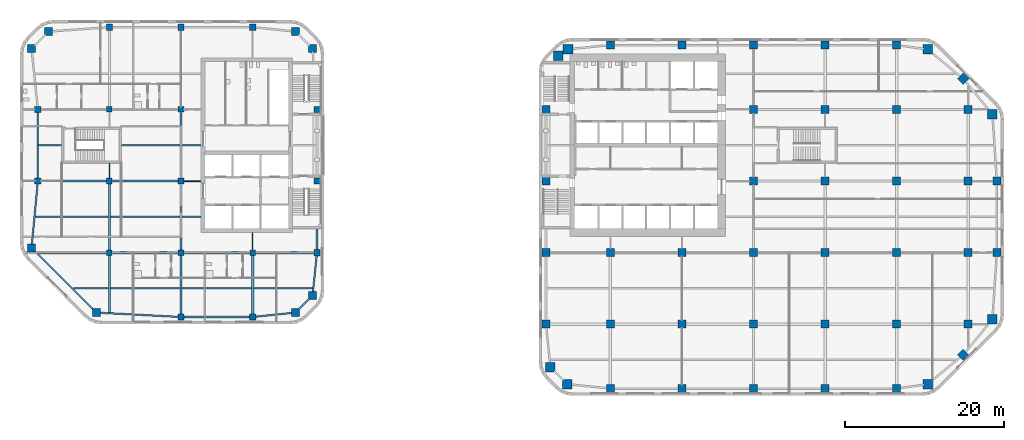
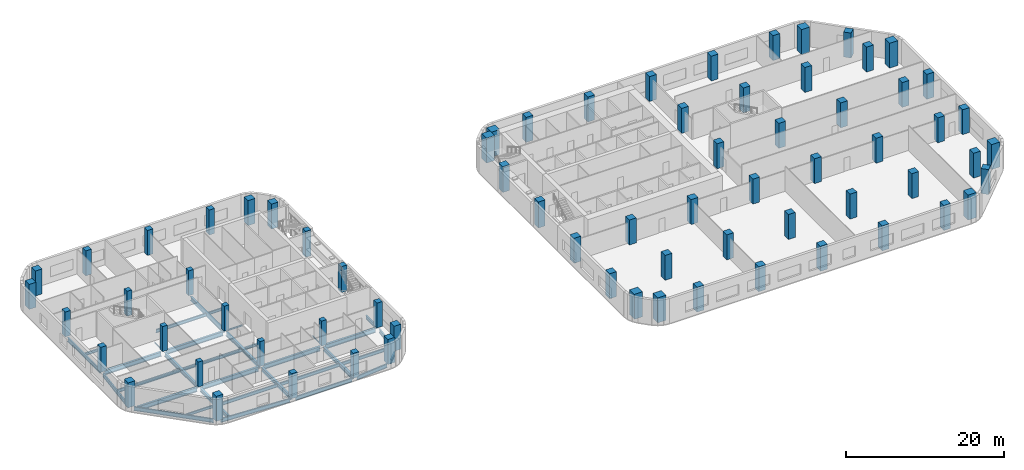
# One storey, part 1 of 15: 71 columns, 34 beams.
"""IFC4 building model written with IfcOpenShell, lengths in metres."""

from ifc_helpers import new_model, si_unit, direction, frame, origin, origin_2d, place, context, subcontext, project, spatial, rectangle, i_section, extrude, material, material_profile, profile_set, type_object, element, save


model = new_model("IFC4")

# Units and contexts
model_context = context("Model", 3, precision=1e-05, world=origin(), true_north=direction((0.0, 1.0)))
body_context = subcontext(model_context, "Body", "Model", "MODEL_VIEW")
ifc_project = project(units=[si_unit("LENGTHUNIT", "METRE"), si_unit("AREAUNIT", "SQUARE_METRE"), si_unit("VOLUMEUNIT", "CUBIC_METRE"), si_unit("PLANEANGLEUNIT", "RADIAN"), si_unit("MASSUNIT", "GRAM", prefix="KILO")], contexts=[model_context])

# Site, building, storey
site_placement = place(None, origin())
site = spatial("IfcSite", under=ifc_project, at=site_placement, CompositionType="ELEMENT")
building_placement = place(site_placement, origin())
building = spatial("IfcBuilding", under=site, at=building_placement, Name="Cinnabar Reach Civic Tower", CompositionType="ELEMENT")
storey_placement = place(building_placement, frame((0.0, 0.0, 67.0)))
storey = spatial("IfcBuildingStorey", under=building, at=storey_placement, Name="L15", CompositionType="ELEMENT", Elevation=67.0)

# Columns
ifc_material_1 = material(Name="Concrete C70", Category="concrete")
ifc_material_profile_1 = material_profile(ifc_material_1, rectangle(XDim=1.0, YDim=1.0, at=origin_2d()), Name="RC1000")
ifc_profile_set_1 = profile_set([ifc_material_profile_1], Name="Concrete C70")
column_type_1 = type_object("IfcColumnType", Name="RC1000 column R 180", PredefinedType="COLUMN", material=ifc_profile_set_1)
for number, where, z_axis, x_axis, name in (
    (1, (-55.6481, 10.4531, 0.0), (0.0, 0.0, 1.0), (1.0, 0.0, 0.0), "Column T2-Z2-CC0"),
    (2, (-30.6019, 10.4531, 0.0), (0.0, 0.0, 1.0), (1.0, 0.0, 0.0), "Column T2-Z2-CC1"),
    (3, (-28.4531, 12.6019, 0.0), (0.0, 0.0, 1.0), (1.0, 0.0, 0.0), "Column T2-Z2-CC2"),
    (4, (-28.4531, 43.6481, 0.0), (0.0, 0.0, 1.0), (1.0, 0.0, 0.0), "Column T2-Z2-CC3"),
    (5, (-30.6019, 45.7969, 0.0), (0.0, 0.0, 1.0), (1.0, 0.0, 0.0), "Column T2-Z2-CC4"),
    (6, (-61.6481, 45.7969, 0.0), (0.0, 0.0, 1.0), (1.0, 0.0, 0.0), "Column T2-Z2-CC5"),
    (7, (-63.7969, 43.6481, 0.0), (0.0, 0.0, 1.0), (1.0, 0.0, 0.0), "Column T2-Z2-CC6"),
    (8, (-63.7969, 18.6019, 0.0), (0.0, 0.0, 1.0), (1.0, 0.0, 0.0), "Column T2-Z2-CC7"),
):
    element("IfcColumn", number, at=place(storey_placement, frame(where, z_axis=z_axis, x_axis=x_axis)), inside=storey, type_object=column_type_1, Name=name, PredefinedType="COLUMN", context=body_context, shape_type="SweptSolid", body=[
        extrude(rectangle(XDim=1.0, YDim=1.0, at=origin_2d()), origin(), (0.0, 0.0, 1.0), 3.85),
    ])
ifc_material_profile_2 = material_profile(ifc_material_1, rectangle(XDim=1.0, YDim=1.0, at=origin_2d()), Name="RC1000")
ifc_profile_set_2 = profile_set([ifc_material_profile_2], Name="Concrete C70")
column_type_2 = type_object("IfcColumnType", Name="RC1000 column R 240", PredefinedType="COLUMN", material=ifc_profile_set_2)
for number, where, z_axis, x_axis, name in (
    (9, (9.0, 0.9, 0.0), (0.0, 0.0, 1.0), (1.0, 0.0, 0.0), "Column T1-Z1-F0-1"),
    (10, (18.0, 0.9, 0.0), (0.0, 0.0, 1.0), (1.0, 0.0, 0.0), "Column T1-Z1-F0-2"),
    (11, (27.0, 0.9, 0.0), (0.0, 0.0, 1.0), (1.0, 0.0, 0.0), "Column T1-Z1-F0-3"),
    (12, (36.0, 0.9, 0.0), (0.0, 0.0, 1.0), (1.0, 0.0, 0.0), "Column T1-Z1-F0-4"),
    (13, (45.0, 0.9, 0.0), (0.0, 0.0, 1.0), (1.0, 0.0, 0.0), "Column T1-Z1-F0-5"),
    (14, (53.3636, 5.1364, 0.0), (0.0, 0.0, 1.0), (0.707106781187, 0.707106781187, 0.0), "Column T1-Z1-F1-M"),
    (15, (57.6, 18.0, 0.0), (0.0, 0.0, 1.0), (1.0, 0.0, 0.0), "Column T1-Z1-F2-2"),
    (16, (57.6, 27.0, 0.0), (0.0, 0.0, 1.0), (1.0, 0.0, 0.0), "Column T1-Z1-F2-3"),
    (17, (53.3636, 39.8636, 0.0), (0.0, 0.0, 1.0), (0.707106781187, 0.707106781187, 0.0), "Column T1-Z1-F3-M"),
    (18, (9.0, 44.1, 0.0), (0.0, 0.0, 1.0), (1.0, 0.0, 0.0), "Column T1-Z1-F4-1"),
    (19, (18.0, 44.1, 0.0), (0.0, 0.0, 1.0), (1.0, 0.0, 0.0), "Column T1-Z1-F4-2"),
    (20, (27.0, 44.1, 0.0), (0.0, 0.0, 1.0), (1.0, 0.0, 0.0), "Column T1-Z1-F4-3"),
    (21, (36.0, 44.1, 0.0), (0.0, 0.0, 1.0), (1.0, 0.0, 0.0), "Column T1-Z1-F4-4"),
    (22, (45.0, 44.1, 0.0), (0.0, 0.0, 1.0), (1.0, 0.0, 0.0), "Column T1-Z1-F4-5"),
    (23, (0.9, 9.0, 0.0), (0.0, 0.0, 1.0), (1.0, 0.0, 0.0), "Column T1-Z1-F6-1"),
    (24, (0.9, 18.0, 0.0), (0.0, 0.0, 1.0), (1.0, 0.0, 0.0), "Column T1-Z1-F6-2"),
):
    element("IfcColumn", number, at=place(storey_placement, frame(where, z_axis=z_axis, x_axis=x_axis)), inside=storey, type_object=column_type_2, Name=name, PredefinedType="COLUMN", context=body_context, shape_type="SweptSolid", body=[
        extrude(rectangle(XDim=1.0, YDim=1.0, at=origin_2d()), origin(), (0.0, 0.0, 1.0), 3.85),
    ])
for number, where, z_axis, x_axis, name in (
    (25, (0.9, 27.0, 0.0), (0.0, 0.0, 1.0), (1.0, 0.0, 0.0), "Column T1-Z1-F6-3"),
    (26, (0.9, 36.0, 0.0), (0.0, 0.0, 1.0), (1.0, 0.0, 0.0), "Column T1-Z1-F6-4"),
):
    element("IfcColumn", number, at=place(storey_placement, frame(where, z_axis=z_axis, x_axis=x_axis)), inside=storey, type_object=column_type_2, Name=name, PredefinedType="COLUMN", context=body_context, shape_type="SweptSolid", body=[
        extrude(rectangle(XDim=1.0, YDim=1.0, at=origin_2d()), origin(), (0.0, 0.0, 1.0), 4.0),
    ])
for number, where, z_axis, x_axis, name in (
    (27, (9.0, 9.0, 0.0), (0.0, 0.0, 1.0), (1.0, 0.0, 0.0), "Column T1-Z1-I9_9"),
    (28, (9.0, 18.0, 0.0), (0.0, 0.0, 1.0), (1.0, 0.0, 0.0), "Column T1-Z1-I9_18"),
    (29, (18.0, 9.0, 0.0), (0.0, 0.0, 1.0), (1.0, 0.0, 0.0), "Column T1-Z1-I18_9"),
    (30, (18.0, 18.0, 0.0), (0.0, 0.0, 1.0), (1.0, 0.0, 0.0), "Column T1-Z1-I18_18"),
    (31, (27.0, 9.0, 0.0), (0.0, 0.0, 1.0), (1.0, 0.0, 0.0), "Column T1-Z1-I27_9"),
    (32, (27.0, 18.0, 0.0), (0.0, 0.0, 1.0), (1.0, 0.0, 0.0), "Column T1-Z1-I27_18"),
    (33, (27.0, 27.0, 0.0), (0.0, 0.0, 1.0), (1.0, 0.0, 0.0), "Column T1-Z1-I27_27"),
    (34, (27.0, 36.0, 0.0), (0.0, 0.0, 1.0), (1.0, 0.0, 0.0), "Column T1-Z1-I27_36"),
    (35, (36.0, 9.0, 0.0), (0.0, 0.0, 1.0), (1.0, 0.0, 0.0), "Column T1-Z1-I36_9"),
    (36, (36.0, 18.0, 0.0), (0.0, 0.0, 1.0), (1.0, 0.0, 0.0), "Column T1-Z1-I36_18"),
    (37, (36.0, 27.0, 0.0), (0.0, 0.0, 1.0), (1.0, 0.0, 0.0), "Column T1-Z1-I36_27"),
    (38, (36.0, 36.0, 0.0), (0.0, 0.0, 1.0), (1.0, 0.0, 0.0), "Column T1-Z1-I36_36"),
    (39, (45.0, 9.0, 0.0), (0.0, 0.0, 1.0), (1.0, 0.0, 0.0), "Column T1-Z1-I45_9"),
    (40, (45.0, 18.0, 0.0), (0.0, 0.0, 1.0), (1.0, 0.0, 0.0), "Column T1-Z1-I45_18"),
    (41, (45.0, 27.0, 0.0), (0.0, 0.0, 1.0), (1.0, 0.0, 0.0), "Column T1-Z1-I45_27"),
    (42, (45.0, 36.0, 0.0), (0.0, 0.0, 1.0), (1.0, 0.0, 0.0), "Column T1-Z1-I45_36"),
    (43, (54.0, 9.0, 0.0), (0.0, 0.0, 1.0), (1.0, 0.0, 0.0), "Column T1-Z1-I54_9"),
    (44, (54.0, 18.0, 0.0), (0.0, 0.0, 1.0), (1.0, 0.0, 0.0), "Column T1-Z1-I54_18"),
    (45, (54.0, 27.0, 0.0), (0.0, 0.0, 1.0), (1.0, 0.0, 0.0), "Column T1-Z1-I54_27"),
    (46, (54.0, 36.0, 0.0), (0.0, 0.0, 1.0), (1.0, 0.0, 0.0), "Column T1-Z1-I54_36"),
):
    element("IfcColumn", number, at=place(storey_placement, frame(where, z_axis=z_axis, x_axis=x_axis)), inside=storey, type_object=column_type_2, Name=name, PredefinedType="COLUMN", context=body_context, shape_type="SweptSolid", body=[
        extrude(rectangle(XDim=1.0, YDim=1.0, at=origin_2d()), origin(), (0.0, 0.0, 1.0), 3.85),
    ])
ifc_material_2 = material(Name="Concrete C80", Category="concrete")
ifc_material_profile_3 = material_profile(ifc_material_2, rectangle(XDim=1.2, YDim=1.2, at=origin_2d()), Name="RC1200")
ifc_profile_set_3 = profile_set([ifc_material_profile_3], Name="Concrete C80")
column_type_3 = type_object("IfcColumnType", Name="RC1200 column R 240", PredefinedType="COLUMN", material=ifc_profile_set_3)
for number, where, z_axis, x_axis, name in (
    (47, (3.6019, 1.4531, 0.0), (0.0, 0.0, 1.0), (1.0, 0.0, 0.0), "Column T1-Z1-CC0"),
    (48, (48.8981, 1.4531, 0.0), (0.0, 0.0, 1.0), (1.0, 0.0, 0.0), "Column T1-Z1-CC1"),
    (49, (57.0469, 9.6019, 0.0), (0.0, 0.0, 1.0), (1.0, 0.0, 0.0), "Column T1-Z1-CC2"),
    (50, (57.0469, 35.3981, 0.0), (0.0, 0.0, 1.0), (1.0, 0.0, 0.0), "Column T1-Z1-CC3"),
    (51, (48.8981, 43.5469, 0.0), (0.0, 0.0, 1.0), (1.0, 0.0, 0.0), "Column T1-Z1-CC4"),
    (52, (3.6666, 43.5737, 0.0), (0.0, 0.0, 1.0), (1.0, 0.0, 0.0), "Column T1-Z1-CC5"),
    (53, (2.4631, 42.75, 0.0), (0.0, 0.0, 1.0), (1.0, 0.0, 0.0), "Column T1-Z1-CC6"),
    (54, (1.4531, 3.6019, 0.0), (0.0, 0.0, 1.0), (1.0, 0.0, 0.0), "Column T1-Z1-CC7"),
):
    element("IfcColumn", number, at=place(storey_placement, frame(where, z_axis=z_axis, x_axis=x_axis)), inside=storey, type_object=column_type_3, Name=name, PredefinedType="COLUMN", context=body_context, shape_type="SweptSolid", body=[
        extrude(rectangle(XDim=1.2, YDim=1.2, at=origin_2d()), origin(), (0.0, 0.0, 1.0), 3.85),
    ])
ifc_material_3 = material(Name="Concrete C60", Category="concrete")
ifc_material_profile_4 = material_profile(ifc_material_3, rectangle(XDim=0.7, YDim=0.7, at=origin_2d()), Name="RC700")
ifc_profile_set_4 = profile_set([ifc_material_profile_4], Name="Concrete C60")
column_type_4 = type_object("IfcColumnType", Name="RC700 column R 180", PredefinedType="COLUMN", material=ifc_profile_set_4)
for number, where, z_axis, x_axis, name in (
    (55, (-54.0, 18.0, 0.0), (0.0, 0.0, 1.0), (1.0, 0.0, 0.0), "Column T2-Z2-I-54_18"),
    (56, (-54.0, 27.0, 0.0), (0.0, 0.0, 1.0), (1.0, 0.0, 0.0), "Column T2-Z2-I-54_27"),
    (57, (-54.0, 36.0, 0.0), (0.0, 0.0, 1.0), (1.0, 0.0, 0.0), "Column T2-Z2-I-54_36"),
    (58, (-45.0, 18.0, 0.0), (0.0, 0.0, 1.0), (1.0, 0.0, 0.0), "Column T2-Z2-I-45_18"),
    (59, (-45.0, 27.0, 0.0), (0.0, 0.0, 1.0), (1.0, 0.0, 0.0), "Column T2-Z2-I-45_27"),
    (60, (-45.0, 36.0, 0.0), (0.0, 0.0, 1.0), (1.0, 0.0, 0.0), "Column T2-Z2-I-45_36"),
    (61, (-36.0, 18.0, 0.0), (0.0, 0.0, 1.0), (1.0, 0.0, 0.0), "Column T2-Z2-I-36_18"),
):
    element("IfcColumn", number, at=place(storey_placement, frame(where, z_axis=z_axis, x_axis=x_axis)), inside=storey, type_object=column_type_4, Name=name, PredefinedType="COLUMN", context=body_context, shape_type="SweptSolid", body=[
        extrude(rectangle(XDim=0.7, YDim=0.7, at=origin_2d()), origin(), (0.0, 0.0, 1.0), 3.85),
    ])
ifc_material_profile_5 = material_profile(ifc_material_3, rectangle(XDim=0.8, YDim=0.8, at=origin_2d()), Name="RC800")
ifc_profile_set_5 = profile_set([ifc_material_profile_5], Name="Concrete C60")
column_type_5 = type_object("IfcColumnType", Name="RC800 column R 180", PredefinedType="COLUMN", material=ifc_profile_set_5)
for number, where, z_axis, x_axis, name in (
    (62, (-45.0, 9.9, 0.0), (0.0, 0.0, 1.0), (1.0, 0.0, 0.0), "Column T2-Z2-F0--5"),
    (63, (-36.0, 9.9, 0.0), (0.0, 0.0, 1.0), (1.0, 0.0, 0.0), "Column T2-Z2-F0--4"),
    (64, (-27.9, 18.0, 0.0), (0.0, 0.0, 1.0), (1.0, 0.0, 0.0), "Column T2-Z2-F2-2"),
):
    element("IfcColumn", number, at=place(storey_placement, frame(where, z_axis=z_axis, x_axis=x_axis)), inside=storey, type_object=column_type_5, Name=name, PredefinedType="COLUMN", context=body_context, shape_type="SweptSolid", body=[
        extrude(rectangle(XDim=0.8, YDim=0.8, at=origin_2d()), origin(), (0.0, 0.0, 1.0), 3.85),
    ])
for number, where, z_axis, x_axis, name in (
    (65, (-27.9, 27.0, 0.0), (0.0, 0.0, 1.0), (1.0, 0.0, 0.0), "Column T2-Z2-F2-3"),
    (66, (-27.9, 36.0, 0.0), (0.0, 0.0, 1.0), (1.0, 0.0, 0.0), "Column T2-Z2-F2-4"),
):
    element("IfcColumn", number, at=place(storey_placement, frame(where, z_axis=z_axis, x_axis=x_axis)), inside=storey, type_object=column_type_5, Name=name, PredefinedType="COLUMN", context=body_context, shape_type="SweptSolid", body=[
        extrude(rectangle(XDim=0.8, YDim=0.8, at=origin_2d()), origin(), (0.0, 0.0, 1.0), 4.0),
    ])
for number, where, z_axis, x_axis, name in (
    (67, (-54.0, 46.35, 0.0), (0.0, 0.0, 1.0), (1.0, 0.0, 0.0), "Column T2-Z2-F4--6"),
    (68, (-45.0, 46.35, 0.0), (0.0, 0.0, 1.0), (1.0, 0.0, 0.0), "Column T2-Z2-F4--5"),
    (69, (-36.0, 46.35, 0.0), (0.0, 0.0, 1.0), (1.0, 0.0, 0.0), "Column T2-Z2-F4--4"),
    (70, (-63.0, 27.0, 0.0), (0.0, 0.0, 1.0), (1.0, 0.0, 0.0), "Column T2-Z2-F6-3"),
    (71, (-63.0, 36.0, 0.0), (0.0, 0.0, 1.0), (1.0, 0.0, 0.0), "Column T2-Z2-F6-4"),
):
    element("IfcColumn", number, at=place(storey_placement, frame(where, z_axis=z_axis, x_axis=x_axis)), inside=storey, type_object=column_type_5, Name=name, PredefinedType="COLUMN", context=body_context, shape_type="SweptSolid", body=[
        extrude(rectangle(XDim=0.8, YDim=0.8, at=origin_2d()), origin(), (0.0, 0.0, 1.0), 3.85),
    ])

# Beams
ifc_material_4 = material(Name="Steel Q355B", Category="steel")
ifc_material_profile_6 = material_profile(ifc_material_4, i_section(OverallWidth=0.302, OverallDepth=0.594, WebThickness=0.014, FlangeThickness=0.023, FilletRadius=0.016, at=origin_2d()), Name="HM594x302x14x23")
ifc_profile_set_6 = profile_set([ifc_material_profile_6], Name="Steel Q355B")
beam_type_1 = type_object("IfcBeamType", Name="HM594x302x14x23 beam R 120", PredefinedType="BEAM", material=ifc_profile_set_6)
beam_1_placement = place(storey_placement, frame((-54.0, 10.4696, -0.447), z_axis=(0.0, 1.0, 0.0), x_axis=(-1.0, 0.0, 0.0)))
element("IfcBeam", 72, at=beam_1_placement, inside=storey, type_object=beam_type_1, Name="Girder T2 L15 1", PredefinedType="BEAM", context=body_context, shape_type="SweptSolid", body=[
    extrude(i_section(OverallWidth=0.302, OverallDepth=0.594, WebThickness=0.014, FlangeThickness=0.023, FilletRadius=0.016, at=origin_2d()), origin(), (0.0, 0.0, 1.0), 7.1784),
])
beam_2_placement = place(storey_placement, frame((-54.0, 18.352, -0.447), z_axis=(0.0, 1.0, 0.0), x_axis=(-1.0, 0.0, 0.0)))
element("IfcBeam", 73, at=beam_2_placement, inside=storey, type_object=beam_type_1, Name="Girder T2 L15 2", PredefinedType="BEAM", context=body_context, shape_type="SweptSolid", body=[
    extrude(i_section(OverallWidth=0.302, OverallDepth=0.594, WebThickness=0.014, FlangeThickness=0.023, FilletRadius=0.016, at=origin_2d()), origin(), (0.0, 0.0, 1.0), 8.296),
])
beam_3_placement = place(storey_placement, frame((-45.0, 10.302, -0.447), z_axis=(0.0, 1.0, 0.0), x_axis=(-1.0, 0.0, 0.0)))
element("IfcBeam", 74, at=beam_3_placement, inside=storey, type_object=beam_type_1, Name="Girder T2 L15 6", PredefinedType="BEAM", context=body_context, shape_type="SweptSolid", body=[
    extrude(i_section(OverallWidth=0.302, OverallDepth=0.594, WebThickness=0.014, FlangeThickness=0.023, FilletRadius=0.016, at=origin_2d()), origin(), (0.0, 0.0, 1.0), 7.346),
])
for number, where, z_axis, x_axis, name in (
    (75, (-45.0, 18.352, -0.447), (0.0, 1.0, 0.0), (-1.0, 0.0, 0.0), "Girder T2 L15 7"),
    (76, (-45.0, 27.352, -0.447), (0.0, 1.0, 0.0), (-1.0, 0.0, 0.0), "Girder T2 L15 8"),
):
    element("IfcBeam", number, at=place(storey_placement, frame(where, z_axis=z_axis, x_axis=x_axis)), inside=storey, type_object=beam_type_1, Name=name, PredefinedType="BEAM", context=body_context, shape_type="SweptSolid", body=[
        extrude(i_section(OverallWidth=0.302, OverallDepth=0.594, WebThickness=0.014, FlangeThickness=0.023, FilletRadius=0.016, at=origin_2d()), origin(), (0.0, 0.0, 1.0), 8.296),
    ])
beam_4_placement = place(storey_placement, frame((-36.0, 10.302, -0.447), z_axis=(0.0, 1.0, 0.0), x_axis=(-1.0, 0.0, 0.0)))
element("IfcBeam", 77, at=beam_4_placement, inside=storey, type_object=beam_type_1, Name="Girder T2 L15 10", PredefinedType="BEAM", context=body_context, shape_type="SweptSolid", body=[
    extrude(i_section(OverallWidth=0.302, OverallDepth=0.594, WebThickness=0.014, FlangeThickness=0.023, FilletRadius=0.016, at=origin_2d()), origin(), (0.0, 0.0, 1.0), 7.346),
])
ifc_material_profile_7 = material_profile(ifc_material_4, i_section(OverallWidth=0.099, OverallDepth=0.198, WebThickness=0.0045, FlangeThickness=0.007, FilletRadius=0.013, at=origin_2d()), Name="HN200x100x5.5x8")
ifc_profile_set_7 = profile_set([ifc_material_profile_7], Name="Steel Q355B")
beam_type_2 = type_object("IfcBeamType", Name="HN200x100x5.5x8 beam R 120", PredefinedType="BEAM", material=ifc_profile_set_7)
beam_5_placement = place(storey_placement, frame((-54.0, 27.352, -0.249), z_axis=(0.0, 1.0, 0.0), x_axis=(-1.0, 0.0, 0.0)))
element("IfcBeam", 78, at=beam_5_placement, inside=storey, type_object=beam_type_2, Name="Girder T2 L15 3", PredefinedType="BEAM", context=body_context, shape_type="SweptSolid", body=[
    extrude(i_section(OverallWidth=0.099, OverallDepth=0.198, WebThickness=0.0045, FlangeThickness=0.007, FilletRadius=0.013, at=origin_2d()), origin(), (0.0, 0.0, 1.0), 1.896),
])
beam_6_placement = place(storey_placement, frame((-36.0, 18.352, -0.249), z_axis=(0.0, 1.0, 0.0), x_axis=(-1.0, 0.0, 0.0)))
element("IfcBeam", 79, at=beam_6_placement, inside=storey, type_object=beam_type_2, Name="Girder T2 L15 11", PredefinedType="BEAM", context=body_context, shape_type="SweptSolid", body=[
    extrude(i_section(OverallWidth=0.099, OverallDepth=0.198, WebThickness=0.0045, FlangeThickness=0.007, FilletRadius=0.013, at=origin_2d()), origin(), (0.0, 0.0, 1.0), 2.146),
])
ifc_material_profile_8 = material_profile(ifc_material_4, i_section(OverallWidth=0.124, OverallDepth=0.248, WebThickness=0.005, FlangeThickness=0.008, FilletRadius=0.013, at=origin_2d()), Name="HN250x125x6x9")
ifc_profile_set_8 = profile_set([ifc_material_profile_8], Name="Steel Q355B")
beam_type_3 = type_object("IfcBeamType", Name="HN250x125x6x9 beam R 120", PredefinedType="BEAM", material=ifc_profile_set_8)
beam_7_placement = place(storey_placement, frame((-44.648, 27.0, -0.274), z_axis=(1.0, 0.0, 0.0), x_axis=(0.0, 1.0, 0.0)))
element("IfcBeam", 80, at=beam_7_placement, inside=storey, type_object=beam_type_3, Name="Girder T2 L15 7", PredefinedType="BEAM", context=body_context, shape_type="SweptSolid", body=[
    extrude(i_section(OverallWidth=0.124, OverallDepth=0.248, WebThickness=0.005, FlangeThickness=0.008, FilletRadius=0.013, at=origin_2d()), origin(), (0.0, 0.0, 1.0), 2.146),
])
ifc_material_profile_9 = material_profile(ifc_material_4, i_section(OverallWidth=0.199, OverallDepth=0.396, WebThickness=0.007, FlangeThickness=0.011, FilletRadius=0.013, at=origin_2d()), Name="HN396x199x7x11")
ifc_profile_set_9 = profile_set([ifc_material_profile_9], Name="Steel Q355B")
beam_type_4 = type_object("IfcBeamType", Name="HN396x199x7x11 beam R 120", PredefinedType="BEAM", material=ifc_profile_set_9)
beam_8_placement = place(storey_placement, frame((-58.5508, 13.5, -0.348), z_axis=(1.0, 0.0, 0.0), x_axis=(0.0, 1.0, 0.0)))
element("IfcBeam", 81, at=beam_8_placement, inside=storey, type_object=beam_type_4, Name="Secondary beam T2 L15 1", PredefinedType="BEAM", context=body_context, shape_type="SweptSolid", body=[
    extrude(i_section(OverallWidth=0.199, OverallDepth=0.396, WebThickness=0.007, FlangeThickness=0.011, FilletRadius=0.013, at=origin_2d()), origin(), (0.0, 0.0, 1.0), 4.3978),
])
beam_9_placement = place(storey_placement, frame((-44.847, 22.5, -0.348), z_axis=(1.0, 0.0, 0.0), x_axis=(0.0, 1.0, 0.0)))
element("IfcBeam", 82, at=beam_9_placement, inside=storey, type_object=beam_type_4, Name="Secondary beam T2 L15 7", PredefinedType="BEAM", context=body_context, shape_type="SweptSolid", body=[
    extrude(i_section(OverallWidth=0.199, OverallDepth=0.396, WebThickness=0.007, FlangeThickness=0.011, FilletRadius=0.013, at=origin_2d()), origin(), (0.0, 0.0, 1.0), 2.345),
])
beam_10_placement = place(storey_placement, frame((-62.898, 31.5, -0.348), z_axis=(1.0, 0.0, 0.0), x_axis=(0.0, 1.0, 0.0)))
element("IfcBeam", 83, at=beam_10_placement, inside=storey, type_object=beam_type_4, Name="Secondary beam T2 L15 8", PredefinedType="BEAM", context=body_context, shape_type="SweptSolid", body=[
    extrude(i_section(OverallWidth=0.199, OverallDepth=0.396, WebThickness=0.007, FlangeThickness=0.011, FilletRadius=0.013, at=origin_2d()), origin(), (0.0, 0.0, 1.0), 2.896),
])
beam_11_placement = place(storey_placement, frame((-44.847, 31.5, -0.348), z_axis=(1.0, 0.0, 0.0), x_axis=(0.0, 1.0, 0.0)))
element("IfcBeam", 84, at=beam_11_placement, inside=storey, type_object=beam_type_4, Name="Secondary beam T2 L15 10", PredefinedType="BEAM", context=body_context, shape_type="SweptSolid", body=[
    extrude(i_section(OverallWidth=0.199, OverallDepth=0.396, WebThickness=0.007, FlangeThickness=0.011, FilletRadius=0.013, at=origin_2d()), origin(), (0.0, 0.0, 1.0), 2.345),
])
ifc_material_profile_10 = material_profile(ifc_material_4, i_section(OverallWidth=0.199, OverallDepth=0.496, WebThickness=0.009, FlangeThickness=0.014, FilletRadius=0.016, at=origin_2d()), Name="HN496x199x9x14")
ifc_profile_set_10 = profile_set([ifc_material_profile_10], Name="Steel Q355B")
beam_type_5 = type_object("IfcBeamType", Name="HN496x199x9x14 beam R 120", PredefinedType="BEAM", material=ifc_profile_set_10)
for number, where, z_axis, x_axis, name in (
    (85, (-53.847, 13.5, -0.398), (1.0, 0.0, 0.0), (0.0, 1.0, 0.0), "Secondary beam T2 L15 2"),
    (86, (-44.847, 13.5, -0.398), (1.0, 0.0, 0.0), (0.0, 1.0, 0.0), "Secondary beam T2 L15 3"),
):
    element("IfcBeam", number, at=place(storey_placement, frame(where, z_axis=z_axis, x_axis=x_axis)), inside=storey, type_object=beam_type_5, Name=name, PredefinedType="BEAM", context=body_context, shape_type="SweptSolid", body=[
        extrude(i_section(OverallWidth=0.199, OverallDepth=0.496, WebThickness=0.009, FlangeThickness=0.014, FilletRadius=0.016, at=origin_2d()), origin(), (0.0, 0.0, 1.0), 8.694),
    ])
beam_12_placement = place(storey_placement, frame((-35.847, 13.5, -0.398), z_axis=(1.0, 0.0, 0.0), x_axis=(0.0, 1.0, 0.0)))
element("IfcBeam", 87, at=beam_12_placement, inside=storey, type_object=beam_type_5, Name="Secondary beam T2 L15 4", PredefinedType="BEAM", context=body_context, shape_type="SweptSolid", body=[
    extrude(i_section(OverallWidth=0.199, OverallDepth=0.496, WebThickness=0.009, FlangeThickness=0.014, FilletRadius=0.016, at=origin_2d()), origin(), (0.0, 0.0, 1.0), 7.3834),
])
beam_13_placement = place(storey_placement, frame((-63.3245, 22.5, -0.398), z_axis=(1.0, 0.0, 0.0), x_axis=(0.0, 1.0, 0.0)))
element("IfcBeam", 88, at=beam_13_placement, inside=storey, type_object=beam_type_5, Name="Secondary beam T2 L15 5", PredefinedType="BEAM", context=body_context, shape_type="SweptSolid", body=[
    extrude(i_section(OverallWidth=0.199, OverallDepth=0.496, WebThickness=0.009, FlangeThickness=0.014, FilletRadius=0.016, at=origin_2d()), origin(), (0.0, 0.0, 1.0), 9.1715),
])
beam_14_placement = place(storey_placement, frame((-53.847, 22.5, -0.398), z_axis=(1.0, 0.0, 0.0), x_axis=(0.0, 1.0, 0.0)))
element("IfcBeam", 89, at=beam_14_placement, inside=storey, type_object=beam_type_5, Name="Secondary beam T2 L15 6", PredefinedType="BEAM", context=body_context, shape_type="SweptSolid", body=[
    extrude(i_section(OverallWidth=0.199, OverallDepth=0.496, WebThickness=0.009, FlangeThickness=0.014, FilletRadius=0.016, at=origin_2d()), origin(), (0.0, 0.0, 1.0), 8.694),
])
beam_15_placement = place(storey_placement, frame((-52.498, 31.5, -0.398), z_axis=(1.0, 0.0, 0.0), x_axis=(0.0, 1.0, 0.0)))
element("IfcBeam", 90, at=beam_15_placement, inside=storey, type_object=beam_type_5, Name="Secondary beam T2 L15 9", PredefinedType="BEAM", context=body_context, shape_type="SweptSolid", body=[
    extrude(i_section(OverallWidth=0.199, OverallDepth=0.496, WebThickness=0.009, FlangeThickness=0.014, FilletRadius=0.016, at=origin_2d()), origin(), (0.0, 0.0, 1.0), 7.345),
])
ifc_material_profile_11 = material_profile(ifc_material_4, i_section(OverallWidth=0.2, OverallDepth=0.6, WebThickness=0.011, FlangeThickness=0.017, FilletRadius=0.016, at=origin_2d()), Name="HN600x200x11x17")
ifc_profile_set_11 = profile_set([ifc_material_profile_11], Name="Steel Q355B")
beam_type_6 = type_object("IfcBeamType", Name="HN600x200x11x17 beam R 120", PredefinedType="BEAM", material=ifc_profile_set_11)
beam_16_placement = place(storey_placement, frame((-55.2661, 10.4333, -0.45), z_axis=(0.998653533726, -0.051876001934, 0.0), x_axis=(0.051876001934, 0.998653533726, 0.0)))
element("IfcBeam", 91, at=beam_16_placement, inside=storey, type_object=beam_type_6, Name="Edge beam T2 L15 1", PredefinedType="BEAM", context=body_context, shape_type="SweptSolid", body=[
    extrude(i_section(OverallWidth=0.2, OverallDepth=0.6, WebThickness=0.011, FlangeThickness=0.017, FilletRadius=0.016, at=origin_2d()), origin(), (0.0, 0.0, 1.0), 9.8774),
])
beam_17_placement = place(storey_placement, frame((-44.598, 9.9, -0.45), z_axis=(1.0, 0.0, 0.0), x_axis=(0.0, 1.0, 0.0)))
element("IfcBeam", 92, at=beam_17_placement, inside=storey, type_object=beam_type_6, Name="Edge beam T2 L15 2", PredefinedType="BEAM", context=body_context, shape_type="SweptSolid", body=[
    extrude(i_section(OverallWidth=0.2, OverallDepth=0.6, WebThickness=0.011, FlangeThickness=0.017, FilletRadius=0.016, at=origin_2d()), origin(), (0.0, 0.0, 1.0), 8.196),
])
beam_18_placement = place(storey_placement, frame((-35.598, 9.9412, -0.45), z_axis=(0.994791084875, 0.101934770579, 0.0), x_axis=(-0.101934770579, 0.994791084875, 0.0)))
element("IfcBeam", 93, at=beam_18_placement, inside=storey, type_object=beam_type_6, Name="Edge beam T2 L15 3", PredefinedType="BEAM", context=body_context, shape_type="SweptSolid", body=[
    extrude(i_section(OverallWidth=0.2, OverallDepth=0.6, WebThickness=0.011, FlangeThickness=0.017, FilletRadius=0.016, at=origin_2d()), origin(), (0.0, 0.0, 1.0), 4.6383),
])
beam_19_placement = place(storey_placement, frame((-30.2199, 10.8351, -0.45), z_axis=(0.707106781187, 0.707106781187, 0.0), x_axis=(-0.707106781187, 0.707106781187, 0.0)))
element("IfcBeam", 94, at=beam_19_placement, inside=storey, type_object=beam_type_6, Name="Edge beam T2 L15 4", PredefinedType="BEAM", context=body_context, shape_type="SweptSolid", body=[
    extrude(i_section(OverallWidth=0.2, OverallDepth=0.6, WebThickness=0.011, FlangeThickness=0.017, FilletRadius=0.016, at=origin_2d()), origin(), (0.0, 0.0, 1.0), 1.9584),
])
beam_20_placement = place(storey_placement, frame((-28.414, 12.9839, -0.45), z_axis=(0.101934770579, 0.994791084875, 0.0), x_axis=(-0.994791084875, 0.101934770579, 0.0)))
element("IfcBeam", 95, at=beam_20_placement, inside=storey, type_object=beam_type_6, Name="Edge beam T2 L15 5", PredefinedType="BEAM", context=body_context, shape_type="SweptSolid", body=[
    extrude(i_section(OverallWidth=0.2, OverallDepth=0.6, WebThickness=0.011, FlangeThickness=0.017, FilletRadius=0.016, at=origin_2d()), origin(), (0.0, 0.0, 1.0), 4.6383),
])
beam_21_placement = place(storey_placement, frame((-27.9, 18.402, -0.45), z_axis=(0.0, 1.0, 0.0), x_axis=(-1.0, 0.0, 0.0)))
element("IfcBeam", 96, at=beam_21_placement, inside=storey, type_object=beam_type_6, Name="Edge beam T2 L15 6", PredefinedType="BEAM", context=body_context, shape_type="SweptSolid", body=[
    extrude(i_section(OverallWidth=0.2, OverallDepth=0.6, WebThickness=0.011, FlangeThickness=0.017, FilletRadius=0.016, at=origin_2d()), origin(), (0.0, 0.0, 1.0), 2.596),
])
beam_22_placement = place(storey_placement, frame((-63.0, 35.598, -0.45), z_axis=(0.0, -1.0, 0.0), x_axis=(1.0, 0.0, 0.0)))
element("IfcBeam", 97, at=beam_22_placement, inside=storey, type_object=beam_type_6, Name="Edge beam T2 L15 16", PredefinedType="BEAM", context=body_context, shape_type="SweptSolid", body=[
    extrude(i_section(OverallWidth=0.2, OverallDepth=0.6, WebThickness=0.011, FlangeThickness=0.017, FilletRadius=0.016, at=origin_2d()), origin(), (0.0, 0.0, 1.0), 8.196),
])
beam_23_placement = place(storey_placement, frame((-63.0381, 26.598, -0.45), z_axis=(-0.094478368886, -0.99552691466, 0.0), x_axis=(0.99552691466, -0.094478368886, 0.0)))
element("IfcBeam", 98, at=beam_23_placement, inside=storey, type_object=beam_type_6, Name="Edge beam T2 L15 17", PredefinedType="BEAM", context=body_context, shape_type="SweptSolid", body=[
    extrude(i_section(OverallWidth=0.2, OverallDepth=0.6, WebThickness=0.011, FlangeThickness=0.017, FilletRadius=0.016, at=origin_2d()), origin(), (0.0, 0.0, 1.0), 7.6483),
])
beam_24_placement = place(storey_placement, frame((-63.4149, 18.2199, -0.45), z_axis=(0.707106781187, -0.707106781187, 0.0), x_axis=(0.707106781187, 0.707106781187, 0.0)))
element("IfcBeam", 99, at=beam_24_placement, inside=storey, type_object=beam_type_6, Name="Edge beam T2 L15 18", PredefinedType="BEAM", context=body_context, shape_type="SweptSolid", body=[
    extrude(i_section(OverallWidth=0.2, OverallDepth=0.6, WebThickness=0.011, FlangeThickness=0.017, FilletRadius=0.016, at=origin_2d()), origin(), (0.0, 0.0, 1.0), 10.4437),
])
ifc_material_profile_12 = material_profile(ifc_material_4, i_section(OverallWidth=0.3, OverallDepth=0.692, WebThickness=0.013, FlangeThickness=0.02, FilletRadius=0.016, at=origin_2d()), Name="HN692x300x13x20")
ifc_profile_set_12 = profile_set([ifc_material_profile_12], Name="Steel Q355B")
beam_type_7 = type_object("IfcBeamType", Name="HN692x300x13x20 beam R 120", PredefinedType="BEAM", material=ifc_profile_set_12)
beam_25_placement = place(storey_placement, frame((-63.0508, 18.0, -0.496), z_axis=(1.0, 0.0, 0.0), x_axis=(0.0, 1.0, 0.0)))
element("IfcBeam", 100, at=beam_25_placement, inside=storey, type_object=beam_type_7, Name="Girder T2 L15 1", PredefinedType="BEAM", context=body_context, shape_type="SweptSolid", body=[
    extrude(i_section(OverallWidth=0.3, OverallDepth=0.692, WebThickness=0.013, FlangeThickness=0.02, FilletRadius=0.016, at=origin_2d()), origin(), (0.0, 0.0, 1.0), 8.6988),
])
for number, where, z_axis, x_axis, name in (
    (101, (-53.648, 18.0, -0.496), (1.0, 0.0, 0.0), (0.0, 1.0, 0.0), "Girder T2 L15 2"),
    (102, (-44.648, 18.0, -0.496), (1.0, 0.0, 0.0), (0.0, 1.0, 0.0), "Girder T2 L15 3"),
):
    element("IfcBeam", number, at=place(storey_placement, frame(where, z_axis=z_axis, x_axis=x_axis)), inside=storey, type_object=beam_type_7, Name=name, PredefinedType="BEAM", context=body_context, shape_type="SweptSolid", body=[
        extrude(i_section(OverallWidth=0.3, OverallDepth=0.692, WebThickness=0.013, FlangeThickness=0.02, FilletRadius=0.016, at=origin_2d()), origin(), (0.0, 0.0, 1.0), 8.296),
    ])
beam_26_placement = place(storey_placement, frame((-35.648, 18.0, -0.496), z_axis=(1.0, 0.0, 0.0), x_axis=(0.0, 1.0, 0.0)))
element("IfcBeam", 103, at=beam_26_placement, inside=storey, type_object=beam_type_7, Name="Girder T2 L15 4", PredefinedType="BEAM", context=body_context, shape_type="SweptSolid", body=[
    extrude(i_section(OverallWidth=0.3, OverallDepth=0.692, WebThickness=0.013, FlangeThickness=0.02, FilletRadius=0.016, at=origin_2d()), origin(), (0.0, 0.0, 1.0), 7.346),
])
beam_27_placement = place(storey_placement, frame((-62.598, 27.0, -0.496), z_axis=(1.0, 0.0, 0.0), x_axis=(0.0, 1.0, 0.0)))
element("IfcBeam", 104, at=beam_27_placement, inside=storey, type_object=beam_type_7, Name="Girder T2 L15 5", PredefinedType="BEAM", context=body_context, shape_type="SweptSolid", body=[
    extrude(i_section(OverallWidth=0.3, OverallDepth=0.692, WebThickness=0.013, FlangeThickness=0.02, FilletRadius=0.016, at=origin_2d()), origin(), (0.0, 0.0, 1.0), 8.246),
])
beam_28_placement = place(storey_placement, frame((-53.648, 27.0, -0.496), z_axis=(1.0, 0.0, 0.0), x_axis=(0.0, 1.0, 0.0)))
element("IfcBeam", 105, at=beam_28_placement, inside=storey, type_object=beam_type_7, Name="Girder T2 L15 6", PredefinedType="BEAM", context=body_context, shape_type="SweptSolid", body=[
    extrude(i_section(OverallWidth=0.3, OverallDepth=0.692, WebThickness=0.013, FlangeThickness=0.02, FilletRadius=0.016, at=origin_2d()), origin(), (0.0, 0.0, 1.0), 8.296),
])

save(model, "model.ifc")
